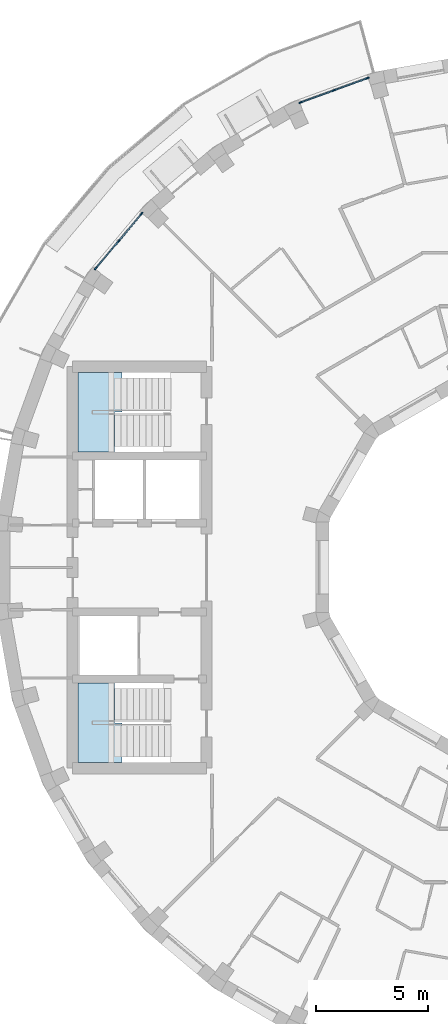
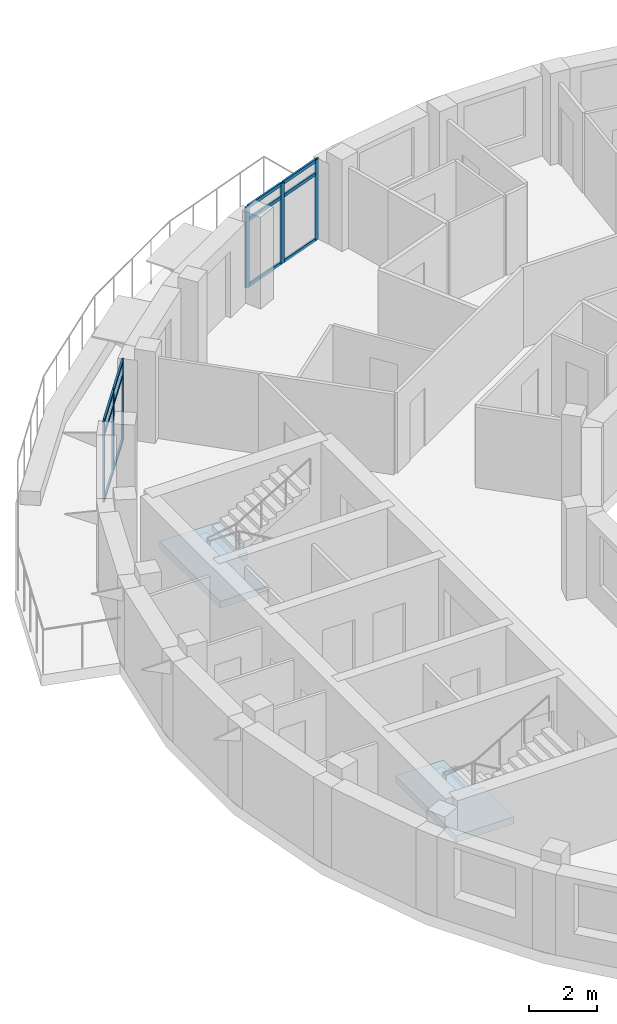
# One storey, part 2 of 12: 18 members, 2 slabs, 4 elements without a shape of their own.
"""IFC4 building model written with IfcOpenShell, lengths in metres."""

from ifc_helpers import new_model, si_unit, direction, frame, origin, origin_2d, place, context, subcontext, project, spatial, polyline, rectangle, outline, extrude, material, layer, layer_set, material_profile, profile_set, type_object, element, aggregate, save


model = new_model("IFC4")

# Units and contexts
model_context = context("Model", 3, precision=1e-05, world=origin(), true_north=direction((0.0, 1.0)))
body_context = subcontext(model_context, "Body", "Model", "MODEL_VIEW")
ifc_project = project(units=[si_unit("LENGTHUNIT", "METRE"), si_unit("AREAUNIT", "SQUARE_METRE"), si_unit("VOLUMEUNIT", "CUBIC_METRE"), si_unit("PLANEANGLEUNIT", "RADIAN"), si_unit("MASSUNIT", "GRAM", prefix="KILO")], contexts=[model_context])

# Site, building, storey
site_placement = place(None, origin())
site = spatial("IfcSite", under=ifc_project, at=site_placement, CompositionType="ELEMENT")
building_placement = place(site_placement, origin())
building = spatial("IfcBuilding", under=site, at=building_placement, Name="Saqina Gate Tower", CompositionType="ELEMENT")
storey_placement = place(building_placement, frame((0.0, 0.0, 236.300048828125)))
storey = spatial("IfcBuildingStorey", under=building, at=storey_placement, Name="L67", CompositionType="ELEMENT", Elevation=236.300048828125)

# Curtain wall, members
ifc_material_1 = material(Name="Aluminium glazing", Category="aluminium")
ifc_layer_1 = layer(ifc_material_1, 0.159912109375)
ifc_layer_set_1 = layer_set([ifc_layer_1], Name="CWT-4")
curtain_wall_type = type_object("IfcCurtainWallType", Name="CWT-4", PredefinedType="NOTDEFINED", material=ifc_layer_set_1)
curtain_wall_1_placement = place(storey_placement, origin())
curtain_wall_1 = element("IfcCurtainWall", 1, at=curtain_wall_1_placement, inside=storey, type_object=curtain_wall_type, Name="Terrace lounge glazing facet 11", PredefinedType="NOTDEFINED")
ifc_material_2 = material(Name="Aluminium", Category="aluminium")
ifc_material_profile_1 = material_profile(ifc_material_2, rectangle(XDim=0.06005859375, YDim=0.159912109375, at=origin_2d()), Name="Aluminium 60x160")
ifc_profile_set_1 = profile_set([ifc_material_profile_1], Name="Aluminium")
member_type_1 = type_object("IfcMemberType", Name="CWT-4M", PredefinedType="MULLION", material=ifc_profile_set_1)
member_1_placement = place(storey_placement, frame((-6.28564453125, 21.935546875, 0.0), z_axis=(0.0, 0.0, 1.0), x_axis=(0.342007258437, -0.939697310402, 0.0)))
member_1 = element("IfcMember", 2, at=member_1_placement, type_object=member_type_1, Name="CW4-11 mullion 1", PredefinedType="MULLION", context=body_context, shape_type="SweptSolid", body=[
    extrude(rectangle(XDim=0.06005859375, YDim=0.159912109375, at=origin_2d()), origin(), (0.0, 0.0, 1.0), 2.89990234375),
])
member_2_placement = place(storey_placement, frame((-7.78515625, 21.3896484375, 0.0), z_axis=(0.0, 0.0, 1.0), x_axis=(0.342007258437, -0.939697310402, 0.0)))
member_2 = element("IfcMember", 3, at=member_2_placement, type_object=member_type_1, Name="CW4-11 mullion 2", PredefinedType="MULLION", context=body_context, shape_type="SweptSolid", body=[
    extrude(rectangle(XDim=0.06005859375, YDim=0.159912109375, at=origin_2d()), origin(), (0.0, 0.0, 1.0), 2.89990234375),
])
member_3_placement = place(storey_placement, frame((-9.284912109375, 20.843994140625, 0.0), z_axis=(0.0, 0.0, 1.0), x_axis=(0.342007258437, -0.939697310402, 0.0)))
member_3 = element("IfcMember", 4, at=member_3_placement, type_object=member_type_1, Name="CW4-11 mullion 3", PredefinedType="MULLION", context=body_context, shape_type="SweptSolid", body=[
    extrude(rectangle(XDim=0.06005859375, YDim=0.159912109375, at=origin_2d()), origin(), (0.0, 0.0, 1.0), 2.89990234375),
])

curtain_wall_2_placement = place(storey_placement, origin())
curtain_wall_2 = element("IfcCurtainWall", 5, at=curtain_wall_2_placement, inside=storey, type_object=curtain_wall_type, Name="Terrace lounge glazing facet 14", PredefinedType="NOTDEFINED")
member_4_placement = place(storey_placement, frame((-16.411376953125, 15.85400390625, 0.0), z_axis=(0.0, 0.0, 1.0), x_axis=(0.766046452821, -0.642785214609, 0.0)))
member_4 = element("IfcMember", 6, at=member_4_placement, type_object=member_type_1, Name="CW4-14 mullion 1", PredefinedType="MULLION", context=body_context, shape_type="SweptSolid", body=[
    extrude(rectangle(XDim=0.06005859375, YDim=0.159912109375, at=origin_2d()), origin(), (0.0, 0.0, 1.0), 2.89990234375),
])
member_5_placement = place(storey_placement, frame((-17.43701171875, 14.63134765625, 0.0), z_axis=(0.0, 0.0, 1.0), x_axis=(0.766046452821, -0.642785214609, 0.0)))
member_5 = element("IfcMember", 7, at=member_5_placement, type_object=member_type_1, Name="CW4-14 mullion 2", PredefinedType="MULLION", context=body_context, shape_type="SweptSolid", body=[
    extrude(rectangle(XDim=0.06005859375, YDim=0.159912109375, at=origin_2d()), origin(), (0.0, 0.0, 1.0), 2.89990234375),
])
member_6_placement = place(storey_placement, frame((-18.462890625, 13.408935546875, 0.0), z_axis=(0.0, 0.0, 1.0), x_axis=(0.766046452821, -0.642785214609, 0.0)))
member_6 = element("IfcMember", 8, at=member_6_placement, type_object=member_type_1, Name="CW4-14 mullion 3", PredefinedType="MULLION", context=body_context, shape_type="SweptSolid", body=[
    extrude(rectangle(XDim=0.06005859375, YDim=0.159912109375, at=origin_2d()), origin(), (0.0, 0.0, 1.0), 2.89990234375),
])

# Member
ifc_material_3 = material(Name="Aluminium", Category="aluminium")
ifc_material_profile_2 = material_profile(ifc_material_3, rectangle(XDim=0.06005859375, YDim=0.1201171875, at=origin_2d()), Name="Aluminium 60x120")
ifc_profile_set_2 = profile_set([ifc_material_profile_2], Name="Aluminium")
member_type_2 = type_object("IfcMemberType", Name="CWT-4T", PredefinedType="USERDEFINED", material=ifc_profile_set_2)
member_7_placement = place(storey_placement, frame((-6.313720703125, 21.92529296875, 0.030029296875), z_axis=(-0.939681996159, -0.342049332837, 0.0), x_axis=(0.342049332837, -0.939681996159, 0.0)))
member_7 = element("IfcMember", 9, at=member_7_placement, type_object=member_type_2, Name="CW4-11 transom 1.1", ObjectType="TRANSOM", PredefinedType="USERDEFINED", context=body_context, shape_type="SweptSolid", body=[
    extrude(rectangle(XDim=0.06005859375, YDim=0.1201171875, at=origin_2d()), origin(), (0.0, 0.0, 1.0), 1.535888671875),
])

member_8_placement = place(storey_placement, frame((-6.313720703125, 21.92529296875, 2.39990234375), z_axis=(-0.939681996159, -0.342049332837, 0.0), x_axis=(0.342049332837, -0.939681996159, 0.0)))
member_8 = element("IfcMember", 10, at=member_8_placement, type_object=member_type_2, Name="CW4-11 transom 1.2", ObjectType="TRANSOM", PredefinedType="USERDEFINED", context=body_context, shape_type="SweptSolid", body=[
    extrude(rectangle(XDim=0.06005859375, YDim=0.1201171875, at=origin_2d()), origin(), (0.0, 0.0, 1.0), 1.535888671875),
])

member_9_placement = place(storey_placement, frame((-6.313720703125, 21.92529296875, 2.869873046875), z_axis=(-0.939681996159, -0.342049332837, 0.0), x_axis=(0.342049332837, -0.939681996159, 0.0)))
member_9 = element("IfcMember", 11, at=member_9_placement, type_object=member_type_2, Name="CW4-11 transom 1.3", ObjectType="TRANSOM", PredefinedType="USERDEFINED", context=body_context, shape_type="SweptSolid", body=[
    extrude(rectangle(XDim=0.06005859375, YDim=0.1201171875, at=origin_2d()), origin(), (0.0, 0.0, 1.0), 1.535888671875),
])

member_10_placement = place(storey_placement, frame((-7.8134765625, 21.37939453125, 0.030029296875), z_axis=(-0.939714490023, -0.341960052113, 0.0), x_axis=(0.341960052113, -0.939714490023, 0.0)))
member_10 = element("IfcMember", 12, at=member_10_placement, type_object=member_type_2, Name="CW4-11 transom 2.1", ObjectType="TRANSOM", PredefinedType="USERDEFINED", context=body_context, shape_type="SweptSolid", body=[
    extrude(rectangle(XDim=0.06005859375, YDim=0.1201171875, at=origin_2d()), origin(), (0.0, 0.0, 1.0), 1.53564453125),
])

member_11_placement = place(storey_placement, frame((-7.8134765625, 21.37939453125, 2.39990234375), z_axis=(-0.939714490023, -0.341960052113, 0.0), x_axis=(0.341960052113, -0.939714490023, 0.0)))
member_11 = element("IfcMember", 13, at=member_11_placement, type_object=member_type_2, Name="CW4-11 transom 2.2", ObjectType="TRANSOM", PredefinedType="USERDEFINED", context=body_context, shape_type="SweptSolid", body=[
    extrude(rectangle(XDim=0.06005859375, YDim=0.1201171875, at=origin_2d()), origin(), (0.0, 0.0, 1.0), 1.53564453125),
])

member_12_placement = place(storey_placement, frame((-7.8134765625, 21.37939453125, 2.869873046875), z_axis=(-0.939714490023, -0.341960052113, 0.0), x_axis=(0.341960052113, -0.939714490023, 0.0)))
member_12 = element("IfcMember", 14, at=member_12_placement, type_object=member_type_2, Name="CW4-11 transom 2.3", ObjectType="TRANSOM", PredefinedType="USERDEFINED", context=body_context, shape_type="SweptSolid", body=[
    extrude(rectangle(XDim=0.06005859375, YDim=0.1201171875, at=origin_2d()), origin(), (0.0, 0.0, 1.0), 1.53564453125),
])

aggregate(curtain_wall_1, [member_1, member_2, member_3, member_7, member_8, member_9, member_10, member_11, member_12])

member_13_placement = place(storey_placement, frame((-16.4306640625, 15.8310546875, 0.030029296875), z_axis=(-0.642729663657, -0.766093061876, 0.0), x_axis=(0.766093061876, -0.642729663657, 0.0)))
member_13 = element("IfcMember", 15, at=member_13_placement, type_object=member_type_2, Name="CW4-14 transom 1.1", ObjectType="TRANSOM", PredefinedType="USERDEFINED", context=body_context, shape_type="SweptSolid", body=[
    extrude(rectangle(XDim=0.06005859375, YDim=0.1201171875, at=origin_2d()), origin(), (0.0, 0.0, 1.0), 1.53564453125),
])

member_14_placement = place(storey_placement, frame((-16.4306640625, 15.8310546875, 2.39990234375), z_axis=(-0.642729663657, -0.766093061876, 0.0), x_axis=(0.766093061876, -0.642729663657, 0.0)))
member_14 = element("IfcMember", 16, at=member_14_placement, type_object=member_type_2, Name="CW4-14 transom 1.2", ObjectType="TRANSOM", PredefinedType="USERDEFINED", context=body_context, shape_type="SweptSolid", body=[
    extrude(rectangle(XDim=0.06005859375, YDim=0.1201171875, at=origin_2d()), origin(), (0.0, 0.0, 1.0), 1.53564453125),
])

member_15_placement = place(storey_placement, frame((-16.4306640625, 15.8310546875, 2.869873046875), z_axis=(-0.642729663657, -0.766093061876, 0.0), x_axis=(0.766093061876, -0.642729663657, 0.0)))
member_15 = element("IfcMember", 17, at=member_15_placement, type_object=member_type_2, Name="CW4-14 transom 1.3", ObjectType="TRANSOM", PredefinedType="USERDEFINED", context=body_context, shape_type="SweptSolid", body=[
    extrude(rectangle(XDim=0.06005859375, YDim=0.1201171875, at=origin_2d()), origin(), (0.0, 0.0, 1.0), 1.53564453125),
])

member_16_placement = place(storey_placement, frame((-17.456298828125, 14.6083984375, 0.030029296875), z_axis=(-0.642822950652, -0.766014787139, 0.0), x_axis=(0.766014787139, -0.642822950652, 0.0)))
member_16 = element("IfcMember", 18, at=member_16_placement, type_object=member_type_2, Name="CW4-14 transom 2.1", ObjectType="TRANSOM", PredefinedType="USERDEFINED", context=body_context, shape_type="SweptSolid", body=[
    extrude(rectangle(XDim=0.06005859375, YDim=0.1201171875, at=origin_2d()), origin(), (0.0, 0.0, 1.0), 1.535888671875),
])

member_17_placement = place(storey_placement, frame((-17.456298828125, 14.6083984375, 2.39990234375), z_axis=(-0.642822950652, -0.766014787139, 0.0), x_axis=(0.766014787139, -0.642822950652, 0.0)))
member_17 = element("IfcMember", 19, at=member_17_placement, type_object=member_type_2, Name="CW4-14 transom 2.2", ObjectType="TRANSOM", PredefinedType="USERDEFINED", context=body_context, shape_type="SweptSolid", body=[
    extrude(rectangle(XDim=0.06005859375, YDim=0.1201171875, at=origin_2d()), origin(), (0.0, 0.0, 1.0), 1.535888671875),
])

member_18_placement = place(storey_placement, frame((-17.456298828125, 14.6083984375, 2.869873046875), z_axis=(-0.642822950652, -0.766014787139, 0.0), x_axis=(0.766014787139, -0.642822950652, 0.0)))
member_18 = element("IfcMember", 20, at=member_18_placement, type_object=member_type_2, Name="CW4-14 transom 2.3", ObjectType="TRANSOM", PredefinedType="USERDEFINED", context=body_context, shape_type="SweptSolid", body=[
    extrude(rectangle(XDim=0.06005859375, YDim=0.1201171875, at=origin_2d()), origin(), (0.0, 0.0, 1.0), 1.535888671875),
])

aggregate(curtain_wall_2, [member_4, member_5, member_6, member_13, member_14, member_15, member_16, member_17, member_18])

# Stair, slab
ifc_material_4 = material(Name="Concrete C40/50", Category="concrete")
stair_type = type_object("IfcStairType", Name="EXIT STAIR", PredefinedType="HALF_TURN_STAIR", material=ifc_material_4)
stair_1_placement = place(storey_placement, origin())
stair_1 = element("IfcStair", 21, at=stair_1_placement, inside=storey, type_object=stair_type, Name="EXIT STAIR 3", PredefinedType="HALF_TURN_STAIR")
ifc_material_5 = material(Name="Concrete C40/50", Category="concrete")
ifc_layer_2 = layer(ifc_material_5, 0.25)
ifc_layer_set_2 = layer_set([ifc_layer_2], Name="Concrete C40/50")
slab_type = type_object("IfcSlabType", Name="EXIT STAIR LANDING", PredefinedType="LANDING", material=ifc_layer_set_2)
slab_1_placement = place(storey_placement, frame((0.0, 0.0, 1.39990234375)))
slab_1 = element("IfcSlab", 22, at=slab_1_placement, type_object=slab_type, Name="EXIT STAIR 3 LANDING 1", PredefinedType="LANDING", context=body_context, shape_type="SweptSolid", body=[
    extrude(outline(polyline([(-17.614990234375, 5.175048828125), (-19.25, 5.175048828125), (-19.25, 8.75), (-17.6201171875, 8.75), (-17.614990234375, 8.75), (-17.284423828125, 8.75), (-17.284423828125, 6.96240234375), (-17.614990234375, 6.96240234375), (-17.614990234375, 5.175048828125)])), origin(), (0.0, 0.0, 1.0), 0.25),
])
aggregate(stair_1, [slab_1])

stair_2_placement = place(storey_placement, origin())
stair_2 = element("IfcStair", 23, at=stair_2_placement, inside=storey, type_object=stair_type, Name="EXIT STAIR 4", PredefinedType="HALF_TURN_STAIR")
slab_2_placement = place(storey_placement, frame((0.0, 0.0, 1.39990234375)))
slab_2 = element("IfcSlab", 24, at=slab_2_placement, type_object=slab_type, Name="EXIT STAIR 4 LANDING 1", PredefinedType="LANDING", context=body_context, shape_type="SweptSolid", body=[
    extrude(outline(polyline([(-17.284423828125, -6.96240234375), (-17.284423828125, -8.75), (-17.614990234375, -8.75), (-17.6201171875, -8.75), (-19.25, -8.75), (-19.25, -5.175048828125), (-17.614990234375, -5.175048828125), (-17.614990234375, -6.96240234375), (-17.284423828125, -6.96240234375)])), origin(), (0.0, 0.0, 1.0), 0.25),
])
aggregate(stair_2, [slab_2])

save(model, "model.ifc")
